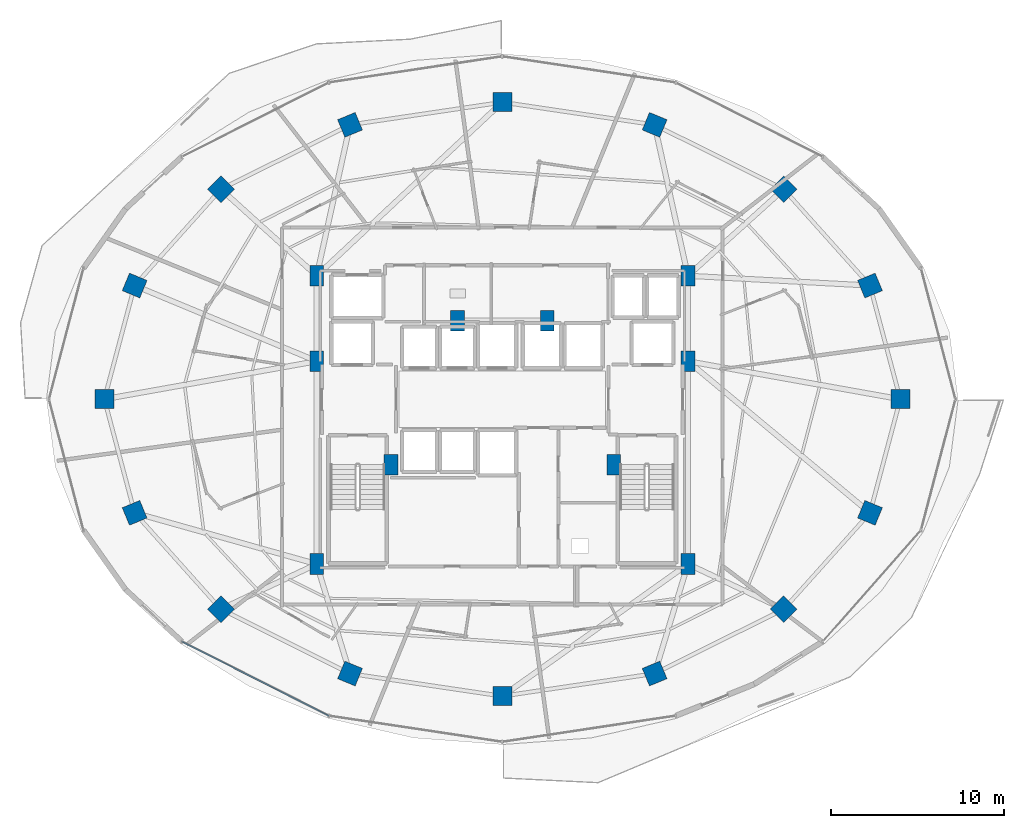
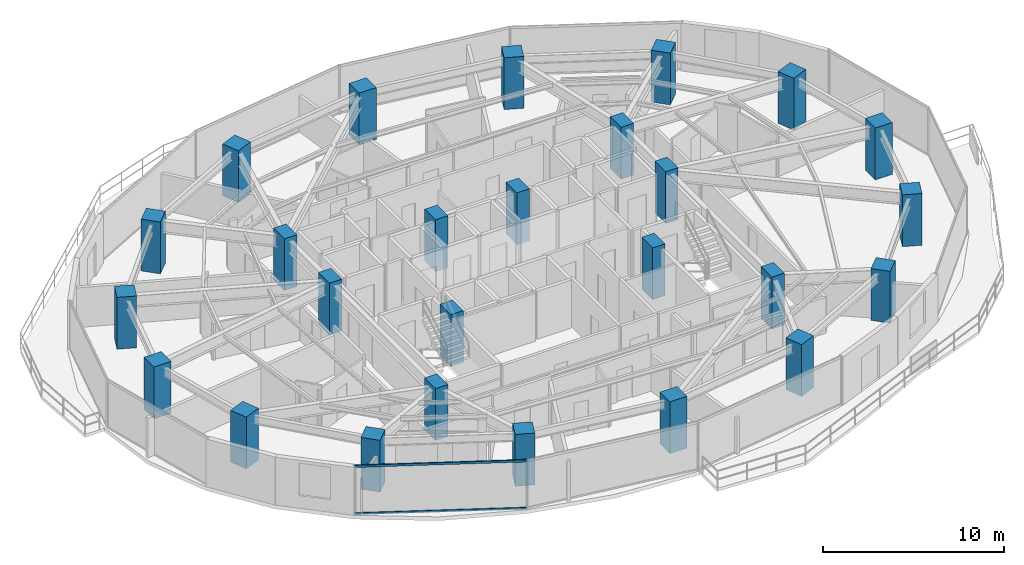
# One storey, part 1 of 30: 26 columns, 2 members, 1 element without a shape of its own.
"""IFC4 building model written with IfcOpenShell, lengths in metres."""

from ifc_helpers import new_model, si_unit, direction, frame, origin, origin_2d, place, context, subcontext, project, spatial, rectangle, hollow_rectangle, extrude, material, material_profile, profile_set, type_object, element, aggregate, save


model = new_model("IFC4")

# Units and contexts
model_context = context("Model", 3, precision=1e-05, world=origin(), true_north=direction((0.0, 1.0)))
body_context = subcontext(model_context, "Body", "Model", "MODEL_VIEW")
ifc_project = project(units=[si_unit("LENGTHUNIT", "METRE"), si_unit("AREAUNIT", "SQUARE_METRE"), si_unit("VOLUMEUNIT", "CUBIC_METRE"), si_unit("PLANEANGLEUNIT", "RADIAN"), si_unit("MASSUNIT", "GRAM", prefix="KILO")], contexts=[model_context])

# Site, building, storey
site_placement = place(None, origin())
site = spatial("IfcSite", under=ifc_project, at=site_placement, CompositionType="ELEMENT")
building_placement = place(site_placement, origin())
building = spatial("IfcBuilding", under=site, at=building_placement, Name="Vorneva Point Tower", CompositionType="ELEMENT")
storey_placement = place(building_placement, frame((0.0, 0.0, 92.800048828125)))
storey = spatial("IfcBuildingStorey", under=building, at=storey_placement, Name="L24", CompositionType="ELEMENT", Elevation=92.800048828125)

# Columns
ifc_material_1 = material(Name="Concrete B60 (C50/60)", Category="concrete")
ifc_material_profile_1 = material_profile(ifc_material_1, rectangle(XDim=1.10009765625, YDim=1.10009765625, at=origin_2d()), Name="RC-COL 1100x1100")
ifc_profile_set_1 = profile_set([ifc_material_profile_1], Name="Concrete B60 (C50/60)")
column_type_1 = type_object("IfcColumnType", Name="COL-RC1100", PredefinedType="COLUMN", material=ifc_profile_set_1)
for number, where, z_axis, x_axis, name in (
    (1, (61.050048828125, 26.0, 0.0), (0.0, 0.0, 1.0), (1.0, 0.0, 0.0), "L24 Perimeter Column P01"),
    (2, (59.29541015625, 32.582275390625, 0.0), (0.0, 0.0, 1.0), (0.923879532511, 0.382683432365, 0.0), "L24 Perimeter Column P02"),
    (3, (54.298828125, 38.162109375, 0.0), (0.0, 0.0, 1.0), (0.707106781187, 0.707106781187, 0.0), "L24 Perimeter Column P03"),
    (4, (46.82080078125, 41.890625, 0.0), (0.0, 0.0, 1.0), (0.382683432365, 0.923879532511, 0.0), "L24 Perimeter Column P04"),
    (5, (38.0, 43.199951171875, 0.0), (0.0, 0.0, 1.0), (0.0, 1.0, 0.0), "L24 Perimeter Column P05"),
    (6, (29.17919921875, 41.890625, 0.0), (0.0, 0.0, 1.0), (-0.382683432365, 0.923879532511, 0.0), "L24 Perimeter Column P06"),
    (7, (21.701171875, 38.162109375, 0.0), (0.0, 0.0, 1.0), (-0.707106781187, 0.707106781187, 0.0), "L24 Perimeter Column P07"),
    (8, (16.70458984375, 32.582275390625, 0.0), (0.0, 0.0, 1.0), (-0.923879532511, 0.382683432365, 0.0), "L24 Perimeter Column P08"),
    (9, (14.949951171875, 26.0, 0.0), (0.0, 0.0, 1.0), (-1.0, 0.0, 0.0), "L24 Perimeter Column P09"),
    (10, (16.70458984375, 19.417724609375, 0.0), (0.0, 0.0, 1.0), (-0.923879532511, -0.382683432365, 0.0), "L24 Perimeter Column P10"),
    (11, (21.701171875, 13.837890625, 0.0), (0.0, 0.0, 1.0), (-0.707106781187, -0.707106781187, 0.0), "L24 Perimeter Column P11"),
    (12, (29.17919921875, 10.109375, 0.0), (0.0, 0.0, 1.0), (-0.382683432365, -0.923879532511, 0.0), "L24 Perimeter Column P12"),
    (13, (38.0, 8.800048828125, 0.0), (0.0, 0.0, 1.0), (0.0, -1.0, 0.0), "L24 Perimeter Column P13"),
    (14, (46.82080078125, 10.109375, 0.0), (0.0, 0.0, 1.0), (0.382683432365, -0.923879532511, 0.0), "L24 Perimeter Column P14"),
    (15, (54.298828125, 13.837890625, 0.0), (0.0, 0.0, 1.0), (0.707106781187, -0.707106781187, 0.0), "L24 Perimeter Column P15"),
    (16, (59.29541015625, 19.417724609375, 0.0), (0.0, 0.0, 1.0), (0.923879532511, -0.382683432365, 0.0), "L24 Perimeter Column P16"),
):
    element("IfcColumn", number, at=place(storey_placement, frame(where, z_axis=z_axis, x_axis=x_axis)), inside=storey, type_object=column_type_1, Name=name, PredefinedType="COLUMN", context=body_context, shape_type="SweptSolid", body=[
        extrude(rectangle(XDim=1.10009765625, YDim=1.10009765625, at=origin_2d()), origin(), (0.0, 0.0, 1.0), 3.5),
    ])
ifc_material_profile_2 = material_profile(ifc_material_1, rectangle(XDim=0.800048828125, YDim=1.199951171875, at=origin_2d()), Name="RC-PIL 1200x800")
ifc_profile_set_2 = profile_set([ifc_material_profile_2], Name="Concrete B60 (C50/60)")
column_type_2 = type_object("IfcColumnType", Name="PIL-RC1200x800", PredefinedType="PILASTER", material=ifc_profile_set_2)
for number, where, z_axis, x_axis, name in (
    (17, (27.25, 16.449951171875, 0.0), (0.0, 0.0, 1.0), (1.0, 0.0, 0.0), "L24 Core Pilaster CP1"),
    (18, (27.25, 28.199951171875, 0.0), (0.0, 0.0, 1.0), (1.0, 0.0, 0.0), "L24 Core Pilaster CP2"),
    (19, (27.25, 33.14990234375, 0.0), (0.0, 0.0, 1.0), (1.0, 0.0, 0.0), "L24 Core Pilaster CP3"),
    (20, (31.550048828125, 22.199951171875, 0.0), (0.0, 0.0, 1.0), (1.0, 0.0, 0.0), "L24 Core Pilaster CP4"),
    (21, (48.75, 33.14990234375, 0.0), (0.0, 0.0, 1.0), (1.0, 0.0, 0.0), "L24 Core Pilaster CP5"),
    (22, (48.75, 28.199951171875, 0.0), (0.0, 0.0, 1.0), (1.0, 0.0, 0.0), "L24 Core Pilaster CP6"),
    (23, (48.75, 16.449951171875, 0.0), (0.0, 0.0, 1.0), (1.0, 0.0, 0.0), "L24 Core Pilaster CP7"),
    (24, (44.449951171875, 22.199951171875, 0.0), (0.0, 0.0, 1.0), (1.0, 0.0, 0.0), "L24 Core Pilaster CP8"),
    (25, (35.39990234375, 30.550048828125, 0.0), (0.0, 0.0, 1.0), (1.0, 0.0, 0.0), "L24 Core Pilaster CP9"),
    (26, (40.60009765625, 30.550048828125, 0.0), (0.0, 0.0, 1.0), (1.0, 0.0, 0.0), "L24 Core Pilaster CP10"),
):
    element("IfcColumn", number, at=place(storey_placement, frame(where, z_axis=z_axis, x_axis=x_axis)), inside=storey, type_object=column_type_2, Name=name, PredefinedType="PILASTER", context=body_context, shape_type="SweptSolid", body=[
        extrude(rectangle(XDim=0.800048828125, YDim=1.199951171875, at=origin_2d()), origin(), (0.0, 0.0, 1.0), 3.5),
    ])

# Curtain wall, members
ifc_material_2 = material(Name="Pale anodised aluminium", Category="aluminium")
curtain_wall_type = type_object("IfcCurtainWallType", Name="CW-HTL-SYS", PredefinedType="NOTDEFINED", material=ifc_material_2)
curtain_wall_placement = place(storey_placement, origin())
curtain_wall = element("IfcCurtainWall", 27, at=curtain_wall_placement, inside=storey, type_object=curtain_wall_type, Name="L24 Unitised Curtain Wall CW-L24-R04", PredefinedType="NOTDEFINED")
ifc_material_profile_3 = material_profile(ifc_material_2, hollow_rectangle(XDim=0.074951171875, YDim=0.14990234375, WallThickness=0.00390625, at=origin_2d()), Name="AL-TRN 150x75x4")
ifc_profile_set_3 = profile_set([ifc_material_profile_3], Name="Pale anodised aluminium")
member_type = type_object("IfcMemberType", Name="CW-TRN-150", PredefinedType="USERDEFINED", material=ifc_profile_set_3)
member_1_placement = place(storey_placement, frame((19.4384765625, 11.9638671875, 0.02001953125), z_axis=(0.892536035732, -0.450976080207, 0.0), x_axis=(0.450976080207, 0.892536035732, 0.0)))
member_1 = element("IfcMember", 28, at=member_1_placement, type_object=member_type, Name="CW-L24-R04 Transom 01.1", ObjectType="TRANSOM", PredefinedType="USERDEFINED", context=body_context, shape_type="SweptSolid", body=[
    extrude(hollow_rectangle(XDim=0.074951171875, YDim=0.14990234375, WallThickness=0.00390625, at=origin_2d()), origin(), (0.0, 0.0, 1.0), 9.54150390625),
])
member_2_placement = place(storey_placement, frame((19.4384765625, 11.9638671875, 3.219970703125), z_axis=(0.892536035732, -0.450976080207, 0.0), x_axis=(0.450976080207, 0.892536035732, 0.0)))
member_2 = element("IfcMember", 29, at=member_2_placement, type_object=member_type, Name="CW-L24-R04 Transom 01.2", ObjectType="TRANSOM", PredefinedType="USERDEFINED", context=body_context, shape_type="SweptSolid", body=[
    extrude(hollow_rectangle(XDim=0.074951171875, YDim=0.14990234375, WallThickness=0.00390625, at=origin_2d()), origin(), (0.0, 0.0, 1.0), 9.54150390625),
])
aggregate(curtain_wall, [member_1, member_2])

save(model, "model.ifc")
